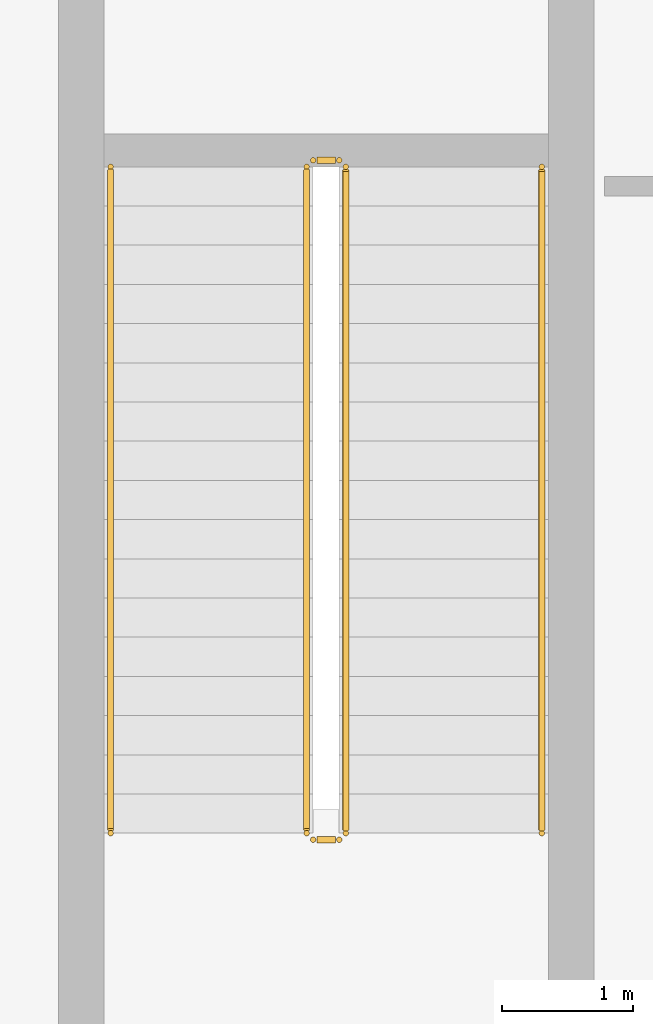
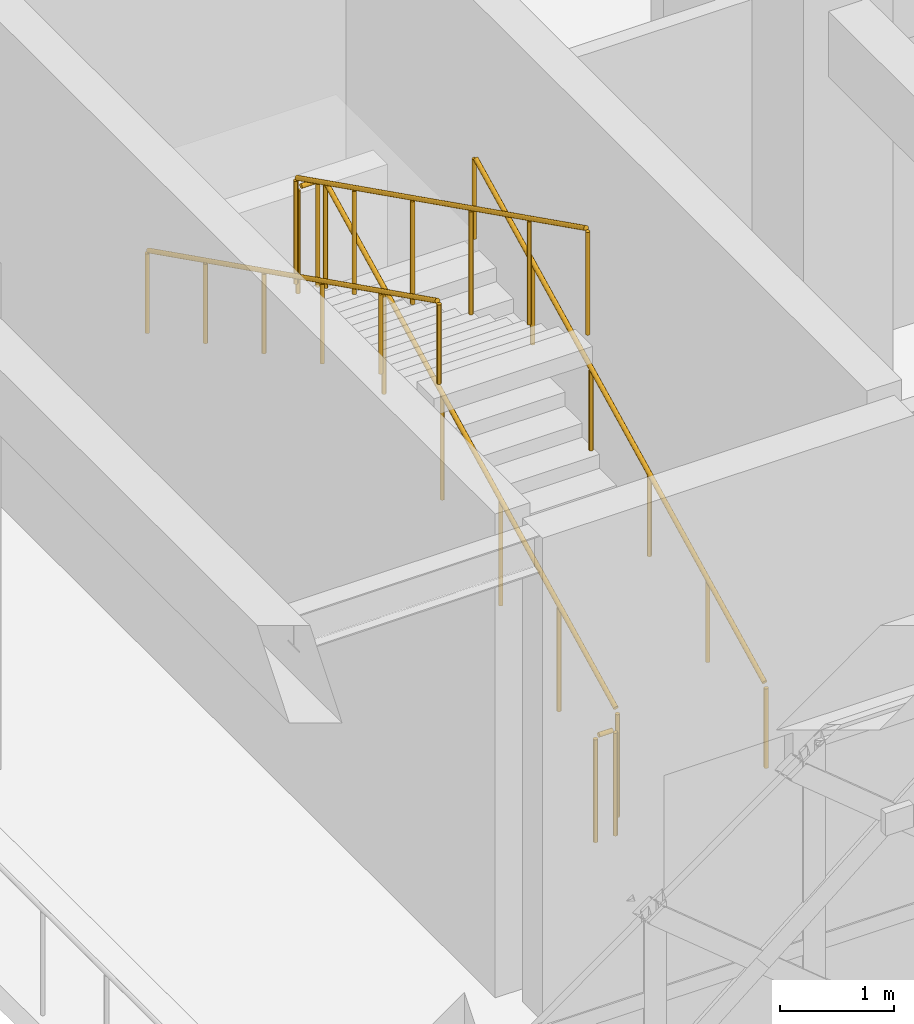
# One storey, part 154 of 155: 6 railings.
"""IFC4 building model written with IfcOpenShell, lengths in metres."""

import ifcopenshell
import ifcopenshell.guid

model = None  # the IFC model being written
_history = None  # IfcOwnerHistory: only IFC2X3 demands one
_inside = {}  # id of a spatial element -> (the spatial element, [elements in it])
_under = {}  # id of a project, library or spatial element -> (it, [spatial elements below it])
_declared = {}  # id of a project -> (the project, [libraries it declares])
_typed = {}  # id of a type object -> (the type object, [elements of that type])
_made_of = {}  # id of a material, layer set ... -> (it, [elements and type objects made of it])


def new_model(schema):
    """Start an empty IFC model of exactly this schema.

    Asked for "IFC4X3", IfcOpenShell would pick the latest addendum, in which some entities
    have other attributes; the version numbers below select the first issue.
    IFC2X3 requires an IfcOwnerHistory on every rooted entity: one is made here for all.
    """
    global model, _history
    if schema == "IFC4X3":
        model = ifcopenshell.file(schema_version=(4, 3, 0, 0))
    else:
        model = ifcopenshell.file(schema=schema)
    _inside.clear()
    _under.clear()
    _declared.clear()
    _typed.clear()
    _made_of.clear()
    _history = None
    if model.schema == "IFC2X3":
        org = make("IfcOrganization", Name="unknown")
        user = make(
            "IfcPersonAndOrganization",
            ThePerson=make("IfcPerson", FamilyName="unknown"),
            TheOrganization=org,
        )
        app = make(
            "IfcApplication",
            ApplicationDeveloper=org,
            Version="unknown",
            ApplicationFullName="unknown",
            ApplicationIdentifier="unknown",
        )
        _history = make(
            "IfcOwnerHistory",
            OwningUser=user,
            OwningApplication=app,
            ChangeAction="ADDED",
            CreationDate=0,
        )
    return model


def make(cls, **values):
    """One entity of the class cls with the attributes given. An attribute that is None is left unset."""
    return model.create_entity(
        cls, **{name: value for name, value in values.items() if value is not None}
    )


def rooted(cls, **values):
    """An entity with a GlobalId (a new one), such as an element, a storey or a relation."""
    return make(cls, GlobalId=ifcopenshell.guid.new(), OwnerHistory=_history, **values)


def si_unit(unit_type, name, prefix=None):
    """IfcSIUnit, for example si_unit("LENGTHUNIT", "METRE", prefix="MILLI")."""
    return make("IfcSIUnit", UnitType=unit_type, Prefix=prefix, Name=name)


def assignment(units):
    """IfcUnitAssignment: the units of a project."""
    return None if units is None else make("IfcUnitAssignment", Units=units)


def point(xyz):
    """IfcCartesianPoint."""
    return None if xyz is None else make("IfcCartesianPoint", Coordinates=xyz)


def direction(xyz):
    """IfcDirection."""
    return None if xyz is None else make("IfcDirection", DirectionRatios=xyz)


def frame(location, z_axis=None, x_axis=None):
    """IfcAxis2Placement3D, a coordinate frame: its origin and axes. An axis left out is left unset."""
    return make(
        "IfcAxis2Placement3D",
        Location=point(location),
        Axis=direction(z_axis),
        RefDirection=direction(x_axis),
    )


def frame_2d(location, x_axis=None):
    """IfcAxis2Placement2D, a coordinate frame in the plane: its origin and x axis."""
    return make(
        "IfcAxis2Placement2D", Location=point(location), RefDirection=direction(x_axis)
    )


def origin():
    """The frame at (0, 0, 0) with its axes left unset."""
    return frame((0.0, 0.0, 0.0))


def origin_2d():
    """The frame at (0, 0) in the plane with its x axis left unset."""
    return frame_2d((0.0, 0.0))


def place(relative_to, where):
    """IfcLocalPlacement: puts the frame where relative to a parent placement (None: the world)."""
    return make(
        "IfcLocalPlacement", PlacementRelTo=relative_to, RelativePlacement=where
    )


def context(
    kind, dimensions, precision=None, world=None, true_north=None, identifier=None
):
    """IfcGeometricRepresentationContext, for example the 3D "Model" context."""
    return make(
        "IfcGeometricRepresentationContext",
        ContextIdentifier=identifier,
        ContextType=kind,
        CoordinateSpaceDimension=dimensions,
        Precision=precision,
        WorldCoordinateSystem=world,
        TrueNorth=true_north,
    )


def subcontext(parent, identifier, kind, view, scale=None):
    """IfcGeometricRepresentationSubContext, for example "Body" below "Model"."""
    return make(
        "IfcGeometricRepresentationSubContext",
        ContextIdentifier=identifier,
        ContextType=kind,
        ParentContext=parent,
        TargetScale=scale,
        TargetView=view,
    )


def project(units=None, contexts=None):
    """IfcProject with its units and contexts."""
    return rooted(
        "IfcProject",
        Name="project",
        RepresentationContexts=contexts,
        UnitsInContext=assignment(units),
    )


def spatial(cls, under=None, at=None, **own):
    """A site, building, storey or space (cls), placed at a placement, below another one or the project."""
    s = rooted(cls, ObjectPlacement=at, **own)
    if under is not None:
        _under.setdefault(under.id(), (under, []))[1].append(s)
    return s


def profile(cls, at=None, kind="AREA", **sizes):
    """A parametric profile (cls). Its sizes go by their IFC names, for example OverallWidth=200.0."""
    return make(cls, ProfileType=kind, Position=at, **sizes)


def circle(**sizes):
    """IfcCircleProfileDef."""
    return profile("IfcCircleProfileDef", **sizes)


def extrude(swept, where, along, depth):
    """IfcExtrudedAreaSolid: the profile swept, set in the frame where, extruded along a direction by depth."""
    return make(
        "IfcExtrudedAreaSolid",
        SweptArea=swept,
        Position=where,
        ExtrudedDirection=direction(along),
        Depth=depth,
    )


def shape(context_of_items, identifier, shape_type, items):
    """IfcShapeRepresentation: the items that make up one representation, for example the "Body"."""
    return make(
        "IfcShapeRepresentation",
        ContextOfItems=context_of_items,
        RepresentationIdentifier=identifier,
        RepresentationType=shape_type,
        Items=items,
    )


def material(Name=None, Category=None):
    """IfcMaterial."""
    return make("IfcMaterial", Name=Name, Category=Category)


def made_of(thing, what):
    """Note that an element or type object is made of a material, layer set ...; save() writes the relation."""
    if what is not None:
        _made_of.setdefault(what.id(), (what, []))[1].append(thing)
    return thing


def type_object(cls, material=None, **own):
    """A type object (cls), such as IfcWallType, which elements share."""
    return made_of(rooted(cls, **own), material)


def element(
    cls,
    number,
    at=None,
    inside=None,
    cuts=None,
    type_object=None,
    material=None,
    context=None,
    identifier="Body",
    shape_type=None,
    held_by="IfcProductDefinitionShape",
    body=None,
    shapes=None,
    **own,
):
    """One element of the class cls, such as IfcWall. Its Tag is "e" and its number.

    at: its placement. inside: the storey or other place that contains it. cuts: it is an
    opening in that element (IfcRelVoidsElement). A single representation is given by context,
    identifier, shape_type and body (its items); several are given by shapes. held_by: the class
    of the entity that holds the representations. save() writes the other relations.
    """
    e = rooted(cls, Tag="e%d" % number, ObjectPlacement=at, **own)
    if body is not None:
        shapes = [shape(context, identifier, shape_type, body)]
    if shapes is not None:
        e.Representation = make(held_by, Representations=shapes)
    if inside is not None:
        _inside.setdefault(inside.id(), (inside, []))[1].append(e)
    if cuts is not None:
        rooted(
            "IfcRelVoidsElement", RelatingBuildingElement=cuts, RelatedOpeningElement=e
        )
    if type_object is not None:
        _typed.setdefault(type_object.id(), (type_object, []))[1].append(e)
    return made_of(e, material)


def aggregate(whole, parts):
    """IfcRelAggregates: a whole, such as a stair, and the parts it consists of."""
    return rooted("IfcRelAggregates", RelatingObject=whole, RelatedObjects=parts)


def save(model, path):
    """Write the relations noted so far, then the file.

    IfcRelAggregates (storeys below a building ...), IfcRelContainedInSpatialStructure (elements
    in a storey), IfcRelDefinesByType, IfcRelAssociatesMaterial and IfcRelDeclares: one each for
    every whole, place, type object, material and project.
    """
    for whole, parts in _under.values():
        aggregate(whole, parts)
    for where, things in _inside.values():
        rooted(
            "IfcRelContainedInSpatialStructure",
            RelatedElements=things,
            RelatingStructure=where,
        )
    for kind, things in _typed.values():
        rooted("IfcRelDefinesByType", RelatedObjects=things, RelatingType=kind)
    for what, things in _made_of.values():
        rooted("IfcRelAssociatesMaterial", RelatedObjects=things, RelatingMaterial=what)
    for by, libraries in _declared.values():
        rooted("IfcRelDeclares", RelatingContext=by, RelatedDefinitions=libraries)
    model.write(path)


model = new_model("IFC4")

# Units and contexts
model_context = context("Model", 3, precision=1e-05, world=origin(), true_north=direction((0.0, 1.0)))
body_context = subcontext(model_context, "Body", "Model", "MODEL_VIEW")
ifc_project = project(units=[si_unit("LENGTHUNIT", "METRE"), si_unit("AREAUNIT", "SQUARE_METRE"), si_unit("VOLUMEUNIT", "CUBIC_METRE"), si_unit("PLANEANGLEUNIT", "RADIAN"), si_unit("MASSUNIT", "GRAM", prefix="KILO")], contexts=[model_context])

# Site, building, storey
site_placement = place(None, origin())
site = spatial("IfcSite", under=ifc_project, at=site_placement, CompositionType="ELEMENT")
building_placement = place(site_placement, origin())
building = spatial("IfcBuilding", under=site, at=building_placement, Name="Haizhuo Lancet Aquarium", CompositionType="ELEMENT")
storey_placement = place(building_placement, frame((0.0, 0.0, 10.800048828125)))
storey = spatial("IfcBuildingStorey", under=building, at=storey_placement, Name="L02", CompositionType="ELEMENT", Elevation=10.800048828125)

# Railings
ifc_material = material(Name="Steel S355", Category="steel")
railing_type_1 = type_object("IfcRailingType", Name="RL-GRD-1150", PredefinedType="GUARDRAIL", material=ifc_material)
railing_1_placement = place(storey_placement, frame((58.64990234375, -21.949951171875, 0.14990234375)))
element("IfcRailing", 1, at=railing_1_placement, inside=storey, type_object=railing_type_1, Name="L02 ST-05 stair guard 1", PredefinedType="GUARDRAIL", context=body_context, shape_type="SweptSolid", body=[
    extrude(circle(Radius=0.02392578125, at=origin_2d()), frame((0.0, 0.02685546875, 1.13916015625), z_axis=(0.0, 0.894418627299, 0.447230722492), x_axis=(-1.0, 0.0, 0.0)), (0.0, 0.0, 1.0), 5.641845703125),
    extrude(circle(Radius=0.02099609375, at=origin_2d()), origin(), (0.0, 0.0, 1.0), 1.097900390625),
    extrude(circle(Radius=0.02099609375, at=origin_2d()), frame((0.0, 1.02001953125, 0.510009765625)), (0.0, 0.0, 1.0), 1.097900390625),
    extrude(circle(Radius=0.02099609375, at=origin_2d()), frame((0.0, 2.0400390625, 1.02001953125)), (0.0, 0.0, 1.0), 1.097900390625),
    extrude(circle(Radius=0.02099609375, at=origin_2d()), frame((0.0, 3.059814453125, 1.530029296875)), (0.0, 0.0, 1.0), 1.097900390625),
    extrude(circle(Radius=0.02099609375, at=origin_2d()), frame((0.0, 4.079833984375, 2.0400390625)), (0.0, 0.0, 1.0), 1.097900390625),
    extrude(circle(Radius=0.02099609375, at=origin_2d()), frame((0.0, 5.099853515625, 2.550048828125)), (0.0, 0.0, 1.0), 1.097900390625),
])
railing_2_placement = place(storey_placement, frame((58.60009765625, -16.800048828125, 2.699951171875)))
element("IfcRailing", 2, at=railing_2_placement, inside=storey, type_object=railing_type_1, Name="L02 ST-05 stair guard 2", PredefinedType="GUARDRAIL", context=body_context, shape_type="SweptSolid", body=[
    extrude(circle(Radius=0.02392578125, at=origin_2d()), frame((-0.030029296875, 0.0, 1.1259765625), z_axis=(-1.0, 0.0, 0.0), x_axis=(0.0, -1.0, 0.0)), (0.0, 0.0, 1.0), 0.14013671875),
    extrude(circle(Radius=0.02099609375, at=origin_2d()), origin(), (0.0, 0.0, 1.0), 1.097900390625),
    extrude(circle(Radius=0.02099609375, at=origin_2d()), frame((-0.2001953125, 0.0, 0.0)), (0.0, 0.0, 1.0), 1.097900390625),
])
railing_3_placement = place(storey_placement, frame((58.35009765625, -16.85009765625, 2.849853515625)))
element("IfcRailing", 3, at=railing_3_placement, inside=storey, type_object=railing_type_1, Name="L02 ST-05 stair guard 3", PredefinedType="GUARDRAIL", context=body_context, shape_type="SweptSolid", body=[
    extrude(circle(Radius=0.02392578125, at=origin_2d()), frame((0.0, -0.02685546875, 1.13916015625), z_axis=(0.0, -0.894418627299, 0.447230722492), x_axis=(1.0, 0.0, 0.0)), (0.0, 0.0, 1.0), 5.641845703125),
    extrude(circle(Radius=0.02099609375, at=origin_2d()), origin(), (0.0, 0.0, 1.0), 1.097900390625),
    extrude(circle(Radius=0.02099609375, at=origin_2d()), frame((0.0, -1.02001953125, 0.510009765625)), (0.0, 0.0, 1.0), 1.097900390625),
    extrude(circle(Radius=0.02099609375, at=origin_2d()), frame((0.0, -2.0400390625, 1.02001953125)), (0.0, 0.0, 1.0), 1.097900390625),
    extrude(circle(Radius=0.02099609375, at=origin_2d()), frame((0.0, -3.059814453125, 1.530029296875)), (0.0, 0.0, 1.0), 1.097900390625),
    extrude(circle(Radius=0.02099609375, at=origin_2d()), frame((0.0, -4.079833984375, 2.0400390625)), (0.0, 0.0, 1.0), 1.097900390625),
    extrude(circle(Radius=0.02099609375, at=origin_2d()), frame((0.0, -5.099853515625, 2.550048828125)), (0.0, 0.0, 1.0), 1.097900390625),
])
railing_4_placement = place(storey_placement, frame((58.60009765625, -22.0, 0.0)))
element("IfcRailing", 4, at=railing_4_placement, inside=storey, type_object=railing_type_1, Name="L02 ST-05 stair guard 4", PredefinedType="GUARDRAIL", context=body_context, shape_type="SweptSolid", body=[
    extrude(circle(Radius=0.02392578125, at=origin_2d()), frame((-0.030029296875, 0.0, 1.1259765625), z_axis=(-1.0, 0.0, 0.0), x_axis=(0.0, -1.0, 0.0)), (0.0, 0.0, 1.0), 0.14013671875),
    extrude(circle(Radius=0.02099609375, at=origin_2d()), origin(), (0.0, 0.0, 1.0), 1.097900390625),
    extrude(circle(Radius=0.02099609375, at=origin_2d()), frame((-0.2001953125, 0.0, 0.0)), (0.0, 0.0, 1.0), 1.097900390625),
])
railing_type_2 = type_object("IfcRailingType", Name="RL-HDR-900", PredefinedType="HANDRAIL", material=ifc_material)
railing_5_placement = place(storey_placement, frame((60.14990234375, -21.949951171875, 0.14990234375)))
element("IfcRailing", 5, at=railing_5_placement, inside=storey, type_object=railing_type_2, Name="L02 ST-05 pitch handrail 1", PredefinedType="HANDRAIL", context=body_context, shape_type="SweptSolid", body=[
    extrude(circle(Radius=0.02392578125, at=origin_2d()), frame((0.0, 0.02685546875, 0.88916015625), z_axis=(0.0, 0.894418627299, 0.447230722492), x_axis=(-1.0, 0.0, 0.0)), (0.0, 0.0, 1.0), 5.641845703125),
    extrude(circle(Radius=0.02099609375, at=origin_2d()), origin(), (0.0, 0.0, 1.0), 0.847900390625),
    extrude(circle(Radius=0.02099609375, at=origin_2d()), frame((0.0, 1.02001953125, 0.510009765625)), (0.0, 0.0, 1.0), 0.847900390625),
    extrude(circle(Radius=0.02099609375, at=origin_2d()), frame((0.0, 2.0400390625, 1.02001953125)), (0.0, 0.0, 1.0), 0.847900390625),
    extrude(circle(Radius=0.02099609375, at=origin_2d()), frame((0.0, 3.059814453125, 1.530029296875)), (0.0, 0.0, 1.0), 0.847900390625),
    extrude(circle(Radius=0.02099609375, at=origin_2d()), frame((0.0, 4.079833984375, 2.0400390625)), (0.0, 0.0, 1.0), 0.847900390625),
    extrude(circle(Radius=0.02099609375, at=origin_2d()), frame((0.0, 5.099853515625, 2.550048828125)), (0.0, 0.0, 1.0), 0.847900390625),
])
railing_6_placement = place(storey_placement, frame((56.85009765625, -16.85009765625, 2.849853515625)))
element("IfcRailing", 6, at=railing_6_placement, inside=storey, type_object=railing_type_2, Name="L02 ST-05 pitch handrail 2", PredefinedType="HANDRAIL", context=body_context, shape_type="SweptSolid", body=[
    extrude(circle(Radius=0.02392578125, at=origin_2d()), frame((0.0, -0.02685546875, 0.88916015625), z_axis=(0.0, -0.894418627299, 0.447230722492), x_axis=(1.0, 0.0, 0.0)), (0.0, 0.0, 1.0), 5.641845703125),
    extrude(circle(Radius=0.02099609375, at=origin_2d()), origin(), (0.0, 0.0, 1.0), 0.847900390625),
    extrude(circle(Radius=0.02099609375, at=origin_2d()), frame((0.0, -1.02001953125, 0.510009765625)), (0.0, 0.0, 1.0), 0.847900390625),
    extrude(circle(Radius=0.02099609375, at=origin_2d()), frame((0.0, -2.0400390625, 1.02001953125)), (0.0, 0.0, 1.0), 0.847900390625),
    extrude(circle(Radius=0.02099609375, at=origin_2d()), frame((0.0, -3.059814453125, 1.530029296875)), (0.0, 0.0, 1.0), 0.847900390625),
    extrude(circle(Radius=0.02099609375, at=origin_2d()), frame((0.0, -4.079833984375, 2.0400390625)), (0.0, 0.0, 1.0), 0.847900390625),
    extrude(circle(Radius=0.02099609375, at=origin_2d()), frame((0.0, -5.099853515625, 2.550048828125)), (0.0, 0.0, 1.0), 0.847900390625),
])

save(model, "model.ifc")
